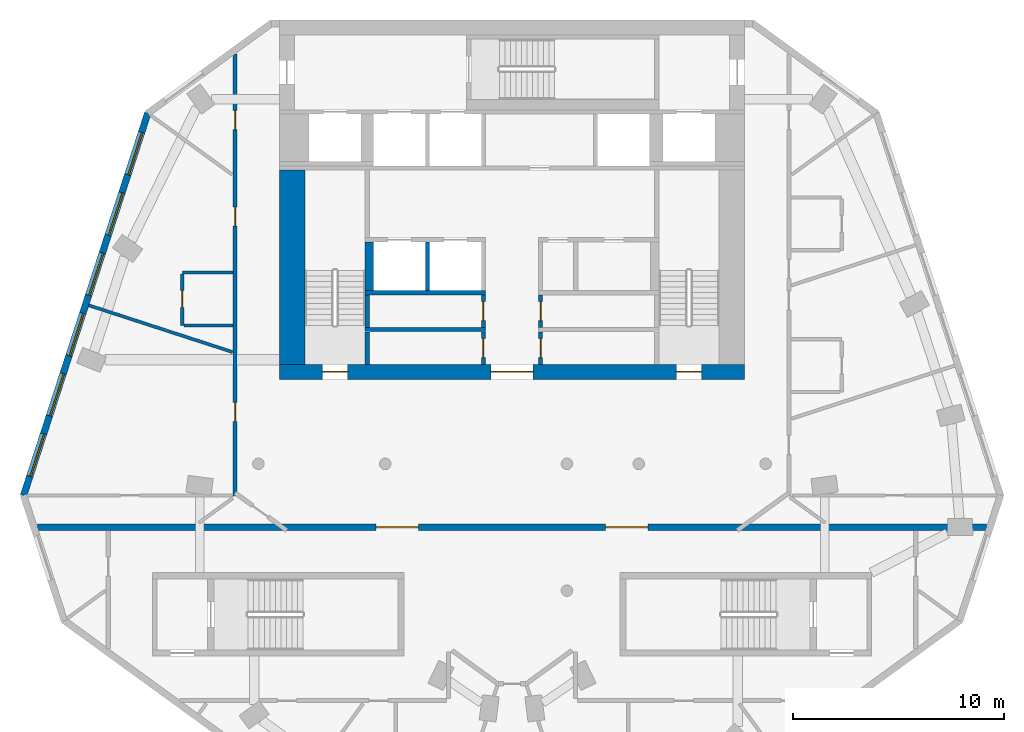
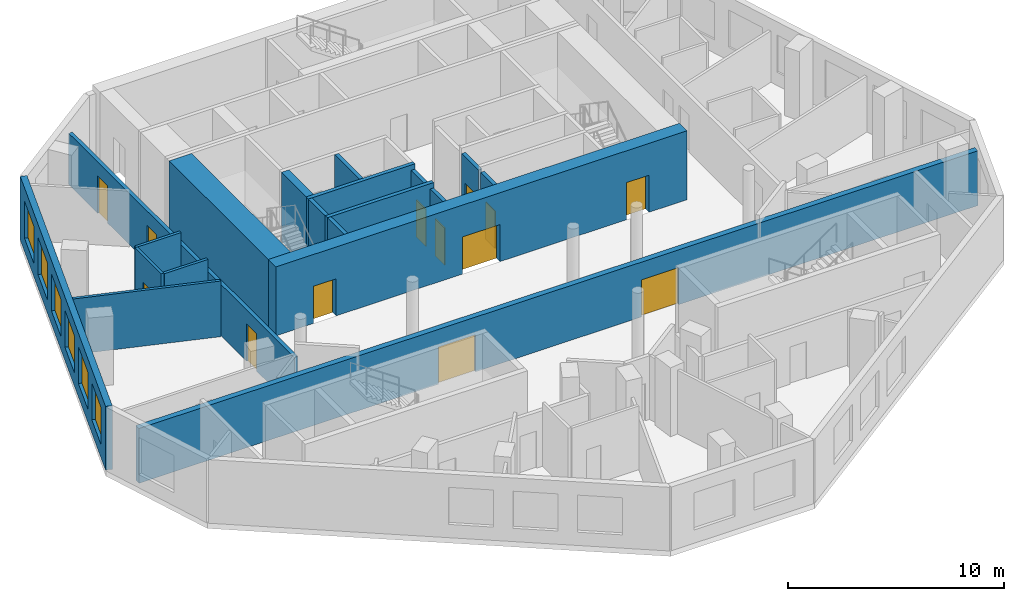
# One storey, part 3 of 8: 19 walls, 13 doors, 6 windows, 19 openings.
"""IFC4 building model written with IfcOpenShell, lengths in metres."""

import ifcopenshell
import ifcopenshell.guid

model = None  # the IFC model being written
_history = None  # IfcOwnerHistory: only IFC2X3 demands one
_inside = {}  # id of a spatial element -> (the spatial element, [elements in it])
_under = {}  # id of a project, library or spatial element -> (it, [spatial elements below it])
_declared = {}  # id of a project -> (the project, [libraries it declares])
_typed = {}  # id of a type object -> (the type object, [elements of that type])
_made_of = {}  # id of a material, layer set ... -> (it, [elements and type objects made of it])


def new_model(schema):
    """Start an empty IFC model of exactly this schema.

    Asked for "IFC4X3", IfcOpenShell would pick the latest addendum, in which some entities
    have other attributes; the version numbers below select the first issue.
    IFC2X3 requires an IfcOwnerHistory on every rooted entity: one is made here for all.
    """
    global model, _history
    if schema == "IFC4X3":
        model = ifcopenshell.file(schema_version=(4, 3, 0, 0))
    else:
        model = ifcopenshell.file(schema=schema)
    _inside.clear()
    _under.clear()
    _declared.clear()
    _typed.clear()
    _made_of.clear()
    _history = None
    if model.schema == "IFC2X3":
        org = make("IfcOrganization", Name="unknown")
        user = make(
            "IfcPersonAndOrganization",
            ThePerson=make("IfcPerson", FamilyName="unknown"),
            TheOrganization=org,
        )
        app = make(
            "IfcApplication",
            ApplicationDeveloper=org,
            Version="unknown",
            ApplicationFullName="unknown",
            ApplicationIdentifier="unknown",
        )
        _history = make(
            "IfcOwnerHistory",
            OwningUser=user,
            OwningApplication=app,
            ChangeAction="ADDED",
            CreationDate=0,
        )
    return model


def make(cls, **values):
    """One entity of the class cls with the attributes given. An attribute that is None is left unset."""
    return model.create_entity(
        cls, **{name: value for name, value in values.items() if value is not None}
    )


def rooted(cls, **values):
    """An entity with a GlobalId (a new one), such as an element, a storey or a relation."""
    return make(cls, GlobalId=ifcopenshell.guid.new(), OwnerHistory=_history, **values)


def si_unit(unit_type, name, prefix=None):
    """IfcSIUnit, for example si_unit("LENGTHUNIT", "METRE", prefix="MILLI")."""
    return make("IfcSIUnit", UnitType=unit_type, Prefix=prefix, Name=name)


def assignment(units):
    """IfcUnitAssignment: the units of a project."""
    return None if units is None else make("IfcUnitAssignment", Units=units)


def point(xyz):
    """IfcCartesianPoint."""
    return None if xyz is None else make("IfcCartesianPoint", Coordinates=xyz)


def direction(xyz):
    """IfcDirection."""
    return None if xyz is None else make("IfcDirection", DirectionRatios=xyz)


def frame(location, z_axis=None, x_axis=None):
    """IfcAxis2Placement3D, a coordinate frame: its origin and axes. An axis left out is left unset."""
    return make(
        "IfcAxis2Placement3D",
        Location=point(location),
        Axis=direction(z_axis),
        RefDirection=direction(x_axis),
    )


def frame_2d(location, x_axis=None):
    """IfcAxis2Placement2D, a coordinate frame in the plane: its origin and x axis."""
    return make(
        "IfcAxis2Placement2D", Location=point(location), RefDirection=direction(x_axis)
    )


def origin():
    """The frame at (0, 0, 0) with its axes left unset."""
    return frame((0.0, 0.0, 0.0))


def place(relative_to, where):
    """IfcLocalPlacement: puts the frame where relative to a parent placement (None: the world)."""
    return make(
        "IfcLocalPlacement", PlacementRelTo=relative_to, RelativePlacement=where
    )


def context(
    kind, dimensions, precision=None, world=None, true_north=None, identifier=None
):
    """IfcGeometricRepresentationContext, for example the 3D "Model" context."""
    return make(
        "IfcGeometricRepresentationContext",
        ContextIdentifier=identifier,
        ContextType=kind,
        CoordinateSpaceDimension=dimensions,
        Precision=precision,
        WorldCoordinateSystem=world,
        TrueNorth=true_north,
    )


def subcontext(parent, identifier, kind, view, scale=None):
    """IfcGeometricRepresentationSubContext, for example "Body" below "Model"."""
    return make(
        "IfcGeometricRepresentationSubContext",
        ContextIdentifier=identifier,
        ContextType=kind,
        ParentContext=parent,
        TargetScale=scale,
        TargetView=view,
    )


def project(units=None, contexts=None):
    """IfcProject with its units and contexts."""
    return rooted(
        "IfcProject",
        Name="project",
        RepresentationContexts=contexts,
        UnitsInContext=assignment(units),
    )


def spatial(cls, under=None, at=None, **own):
    """A site, building, storey or space (cls), placed at a placement, below another one or the project."""
    s = rooted(cls, ObjectPlacement=at, **own)
    if under is not None:
        _under.setdefault(under.id(), (under, []))[1].append(s)
    return s


def profile(cls, at=None, kind="AREA", **sizes):
    """A parametric profile (cls). Its sizes go by their IFC names, for example OverallWidth=200.0."""
    return make(cls, ProfileType=kind, Position=at, **sizes)


def rectangle(**sizes):
    """IfcRectangleProfileDef."""
    return profile("IfcRectangleProfileDef", **sizes)


def extrude(swept, where, along, depth):
    """IfcExtrudedAreaSolid: the profile swept, set in the frame where, extruded along a direction by depth."""
    return make(
        "IfcExtrudedAreaSolid",
        SweptArea=swept,
        Position=where,
        ExtrudedDirection=direction(along),
        Depth=depth,
    )


def shape(context_of_items, identifier, shape_type, items):
    """IfcShapeRepresentation: the items that make up one representation, for example the "Body"."""
    return make(
        "IfcShapeRepresentation",
        ContextOfItems=context_of_items,
        RepresentationIdentifier=identifier,
        RepresentationType=shape_type,
        Items=items,
    )


def material(Name=None, Category=None):
    """IfcMaterial."""
    return make("IfcMaterial", Name=Name, Category=Category)


def layer(
    of_material, thickness, ventilated=None, Name=None, Category=None, Priority=None
):
    """IfcMaterialLayer: one layer of a wall or slab, of a material (None: an air gap)."""
    return make(
        "IfcMaterialLayer",
        Material=of_material,
        LayerThickness=thickness,
        IsVentilated=ventilated,
        Name=Name,
        Category=Category,
        Priority=Priority,
    )


def layer_set(layers, Name=None):
    """IfcMaterialLayerSet."""
    return make("IfcMaterialLayerSet", MaterialLayers=layers, LayerSetName=Name)


def made_of(thing, what):
    """Note that an element or type object is made of a material, layer set ...; save() writes the relation."""
    if what is not None:
        _made_of.setdefault(what.id(), (what, []))[1].append(thing)
    return thing


def type_object(cls, material=None, **own):
    """A type object (cls), such as IfcWallType, which elements share."""
    return made_of(rooted(cls, **own), material)


def element(
    cls,
    number,
    at=None,
    inside=None,
    cuts=None,
    type_object=None,
    material=None,
    context=None,
    identifier="Body",
    shape_type=None,
    held_by="IfcProductDefinitionShape",
    body=None,
    shapes=None,
    **own,
):
    """One element of the class cls, such as IfcWall. Its Tag is "e" and its number.

    at: its placement. inside: the storey or other place that contains it. cuts: it is an
    opening in that element (IfcRelVoidsElement). A single representation is given by context,
    identifier, shape_type and body (its items); several are given by shapes. held_by: the class
    of the entity that holds the representations. save() writes the other relations.
    """
    e = rooted(cls, Tag="e%d" % number, ObjectPlacement=at, **own)
    if body is not None:
        shapes = [shape(context, identifier, shape_type, body)]
    if shapes is not None:
        e.Representation = make(held_by, Representations=shapes)
    if inside is not None:
        _inside.setdefault(inside.id(), (inside, []))[1].append(e)
    if cuts is not None:
        rooted(
            "IfcRelVoidsElement", RelatingBuildingElement=cuts, RelatedOpeningElement=e
        )
    if type_object is not None:
        _typed.setdefault(type_object.id(), (type_object, []))[1].append(e)
    return made_of(e, material)


def fill(opening, filler):
    """IfcRelFillsElement: the door or window that sits in an opening."""
    return rooted(
        "IfcRelFillsElement",
        RelatingOpeningElement=opening,
        RelatedBuildingElement=filler,
    )


def aggregate(whole, parts):
    """IfcRelAggregates: a whole, such as a stair, and the parts it consists of."""
    return rooted("IfcRelAggregates", RelatingObject=whole, RelatedObjects=parts)


def save(model, path):
    """Write the relations noted so far, then the file.

    IfcRelAggregates (storeys below a building ...), IfcRelContainedInSpatialStructure (elements
    in a storey), IfcRelDefinesByType, IfcRelAssociatesMaterial and IfcRelDeclares: one each for
    every whole, place, type object, material and project.
    """
    for whole, parts in _under.values():
        aggregate(whole, parts)
    for where, things in _inside.values():
        rooted(
            "IfcRelContainedInSpatialStructure",
            RelatedElements=things,
            RelatingStructure=where,
        )
    for kind, things in _typed.values():
        rooted("IfcRelDefinesByType", RelatedObjects=things, RelatingType=kind)
    for what, things in _made_of.values():
        rooted("IfcRelAssociatesMaterial", RelatedObjects=things, RelatingMaterial=what)
    for by, libraries in _declared.values():
        rooted("IfcRelDeclares", RelatingContext=by, RelatedDefinitions=libraries)
    model.write(path)


model = new_model("IFC4")

# Units and contexts
model_context = context("Model", 3, precision=1e-05, world=origin(), true_north=direction((0.0, 1.0)))
body_context = subcontext(model_context, "Body", "Model", "MODEL_VIEW")
ifc_project = project(units=[si_unit("LENGTHUNIT", "METRE"), si_unit("AREAUNIT", "SQUARE_METRE"), si_unit("VOLUMEUNIT", "CUBIC_METRE"), si_unit("PLANEANGLEUNIT", "RADIAN"), si_unit("MASSUNIT", "GRAM", prefix="KILO")], contexts=[model_context])

# Site, building, storey
site_placement = place(None, origin())
site = spatial("IfcSite", under=ifc_project, at=site_placement, CompositionType="ELEMENT")
building_placement = place(site_placement, origin())
building = spatial("IfcBuilding", under=site, at=building_placement, Name="White Candle Pilgrim Tower", CompositionType="ELEMENT")
storey_placement = place(building_placement, frame((0.0, 0.0, 275.60009765625)))
storey = spatial("IfcBuildingStorey", under=building, at=storey_placement, Name="L65", CompositionType="ELEMENT", Elevation=275.60009765625)

# Wall, openings, doors
ifc_material_1 = material(Name="Gypsum board on steel studs", Category="steel")
ifc_layer_1 = layer(ifc_material_1, 0.199951171875)
ifc_layer_set_1 = layer_set([ifc_layer_1], Name="Corridor wall 200 mm EI 45")
wall_type_1 = type_object("IfcWallType", Name="Corridor wall 200 mm EI 45", PredefinedType="PARTITIONING", material=ifc_layer_set_1)
wall_1_placement = place(storey_placement, frame((56.89990234375, 65.476806640625, 0.0), z_axis=(0.0, 0.0, 1.0), x_axis=(0.0, 1.0, 0.0)))
wall_1 = element("IfcWall", 1, at=wall_1_placement, inside=storey, type_object=wall_type_1, Name="WL-L65-P003", PredefinedType="PARTITIONING", context=body_context, shape_type="SweptSolid", body=[
    extrude(rectangle(XDim=20.91943359375, YDim=0.199951171875, at=frame_2d((10.459716796875, 0.0))), origin(), (0.0, 0.0, 1.0), 2.89990234375),
])
opening_1_placement = place(wall_1_placement, frame((3.533935546875, 0.0, 0.0)))
opening_1 = element("IfcOpeningElement", 2, at=opening_1_placement, cuts=wall_1, Name="Opening T20-114", PredefinedType="OPENING", context=body_context, shape_type="SweptSolid", body=[
    extrude(rectangle(XDim=0.89990234375, YDim=2.10009765625, at=frame_2d((0.449951171875, 1.050048828125))), frame((0.0, 0.10986328125, 0.0), z_axis=(0.0, -1.0, 0.0), x_axis=(1.0, 0.0, 0.0)), (0.0, 0.0, 1.0), 0.219970703125),
])
opening_2_placement = place(wall_1_placement, frame((12.76806640625, 0.0, 0.0)))
opening_2 = element("IfcOpeningElement", 3, at=opening_2_placement, cuts=wall_1, Name="Opening T20-115", PredefinedType="OPENING", context=body_context, shape_type="SweptSolid", body=[
    extrude(rectangle(XDim=0.89990234375, YDim=2.10009765625, at=frame_2d((0.449951171875, 1.050048828125))), frame((0.0, 0.10986328125, 0.0), z_axis=(0.0, -1.0, 0.0), x_axis=(1.0, 0.0, 0.0)), (0.0, 0.0, 1.0), 0.219970703125),
])
opening_3_placement = place(wall_1_placement, frame((17.331298828125, 0.0, 0.0)))
opening_3 = element("IfcOpeningElement", 4, at=opening_3_placement, cuts=wall_1, Name="Opening T20-116", PredefinedType="OPENING", context=body_context, shape_type="SweptSolid", body=[
    extrude(rectangle(XDim=0.89990234375, YDim=2.10009765625, at=frame_2d((0.449951171875, 1.050048828125))), frame((0.0, 0.10986328125, 0.0), z_axis=(0.0, -1.0, 0.0), x_axis=(1.0, 0.0, 0.0)), (0.0, 0.0, 1.0), 0.219970703125),
])
ifc_material_2 = material(Name="Steel door leaf", Category="steel")
door_type_1 = type_object("IfcDoorType", Name="Fire door 900 x 2100 EI 30", OperationType="NOTDEFINED", PredefinedType="DOOR", material=ifc_material_2)
door_1_placement = place(opening_1_placement, origin())
door_1 = element("IfcDoor", 5, at=door_1_placement, inside=storey, type_object=door_type_1, Name="Door T20-114", OperationType="SINGLE_SWING_RIGHT", OverallHeight=2.10009765625, OverallWidth=0.89990234375, PredefinedType="DOOR", context=body_context, shape_type="SweptSolid", body=[
    extrude(rectangle(XDim=0.89990234375, YDim=2.10009765625, at=frame_2d((0.449951171875, 1.050048828125))), frame((0.0, 0.02490234375, 0.0), z_axis=(0.0, -1.0, 0.0), x_axis=(1.0, 0.0, 0.0)), (0.0, 0.0, 1.0), 0.050048828125),
])
fill(opening_1, door_1)
door_2_placement = place(opening_2_placement, origin())
door_2 = element("IfcDoor", 6, at=door_2_placement, inside=storey, type_object=door_type_1, Name="Door T20-115", OperationType="SINGLE_SWING_LEFT", OverallHeight=2.10009765625, OverallWidth=0.89990234375, PredefinedType="DOOR", context=body_context, shape_type="SweptSolid", body=[
    extrude(rectangle(XDim=0.89990234375, YDim=2.10009765625, at=frame_2d((0.449951171875, 1.050048828125))), frame((0.0, 0.02490234375, 0.0), z_axis=(0.0, -1.0, 0.0), x_axis=(1.0, 0.0, 0.0)), (0.0, 0.0, 1.0), 0.050048828125),
])
fill(opening_2, door_2)
door_3_placement = place(opening_3_placement, origin())
door_3 = element("IfcDoor", 7, at=door_3_placement, inside=storey, type_object=door_type_1, Name="Door T20-116", OperationType="SINGLE_SWING_RIGHT", OverallHeight=2.10009765625, OverallWidth=0.89990234375, PredefinedType="DOOR", context=body_context, shape_type="SweptSolid", body=[
    extrude(rectangle(XDim=0.89990234375, YDim=2.10009765625, at=frame_2d((0.449951171875, 1.050048828125))), frame((0.0, 0.02490234375, 0.0), z_axis=(0.0, -1.0, 0.0), x_axis=(1.0, 0.0, 0.0)), (0.0, 0.0, 1.0), 0.050048828125),
])
fill(opening_3, door_3)

# Wall, openings, windows
ifc_material_3 = material(Name="Precast concrete C40/50", Category="concrete")
ifc_layer_2 = layer(ifc_material_3, 0.320068359375)
ifc_layer_set_2 = layer_set([ifc_layer_2], Name="Facade wall EW1 precast concrete C40/50 pier wall with timber-lined reveals")
wall_type_2 = type_object("IfcWallType", Name="Facade wall EW1 precast concrete C40/50 pier wall with timber-lined reveals", PredefinedType="SOLIDWALL", material=ifc_layer_set_2)
wall_2_placement = place(storey_placement, frame((52.765625, 83.590087890625, 0.0), z_axis=(0.0, 0.0, 1.0), x_axis=(-0.309027135181, -0.951053221288, 0.0)))
wall_2 = element("IfcWall", 8, at=wall_2_placement, inside=storey, type_object=wall_type_2, Name="Facade wall L65 WNW", PredefinedType="SOLIDWALL", context=body_context, shape_type="SweptSolid", body=[
    extrude(rectangle(XDim=19.014404296875, YDim=0.320068359375, at=frame_2d((9.50732421875, 0.0))), origin(), (0.0, 0.0, 1.0), 3.599853515625),
])
opening_4_placement = place(wall_2_placement, frame((0.957275390625, 0.0, 0.75)))
opening_4 = element("IfcOpeningElement", 9, at=opening_4_placement, cuts=wall_2, Name="Opening W3", PredefinedType="OPENING", context=body_context, shape_type="SweptSolid", body=[
    extrude(rectangle(XDim=2.10009765625, YDim=2.10009765625, at=frame_2d((1.050048828125, 1.050048828125))), frame((0.0, 0.169921875, 0.0), z_axis=(0.0, -1.0, 0.0), x_axis=(1.0, 0.0, 0.0)), (0.0, 0.0, 1.0), 0.340087890625),
])
opening_5_placement = place(wall_2_placement, frame((3.957275390625, 0.0, 0.75)))
opening_5 = element("IfcOpeningElement", 10, at=opening_5_placement, cuts=wall_2, Name="Opening W3", PredefinedType="OPENING", context=body_context, shape_type="SweptSolid", body=[
    extrude(rectangle(XDim=2.10009765625, YDim=2.10009765625, at=frame_2d((1.050048828125, 1.050048828125))), frame((0.0, 0.169921875, 0.0), z_axis=(0.0, -1.0, 0.0), x_axis=(1.0, 0.0, 0.0)), (0.0, 0.0, 1.0), 0.340087890625),
])
opening_6_placement = place(wall_2_placement, frame((6.957275390625, 0.0, 0.75)))
opening_6 = element("IfcOpeningElement", 11, at=opening_6_placement, cuts=wall_2, Name="Opening W3", PredefinedType="OPENING", context=body_context, shape_type="SweptSolid", body=[
    extrude(rectangle(XDim=2.10009765625, YDim=2.10009765625, at=frame_2d((1.050048828125, 1.050048828125))), frame((0.0, 0.169921875, 0.0), z_axis=(0.0, -1.0, 0.0), x_axis=(1.0, 0.0, 0.0)), (0.0, 0.0, 1.0), 0.340087890625),
])
opening_7_placement = place(wall_2_placement, frame((9.957275390625, 0.0, 0.75)))
opening_7 = element("IfcOpeningElement", 12, at=opening_7_placement, cuts=wall_2, Name="Opening W3", PredefinedType="OPENING", context=body_context, shape_type="SweptSolid", body=[
    extrude(rectangle(XDim=2.10009765625, YDim=2.10009765625, at=frame_2d((1.050048828125, 1.050048828125))), frame((0.0, 0.169921875, 0.0), z_axis=(0.0, -1.0, 0.0), x_axis=(1.0, 0.0, 0.0)), (0.0, 0.0, 1.0), 0.340087890625),
])
opening_8_placement = place(wall_2_placement, frame((12.957275390625, 0.0, 0.75)))
opening_8 = element("IfcOpeningElement", 13, at=opening_8_placement, cuts=wall_2, Name="Opening W3", PredefinedType="OPENING", context=body_context, shape_type="SweptSolid", body=[
    extrude(rectangle(XDim=2.10009765625, YDim=2.10009765625, at=frame_2d((1.050048828125, 1.050048828125))), frame((0.0, 0.169921875, 0.0), z_axis=(0.0, -1.0, 0.0), x_axis=(1.0, 0.0, 0.0)), (0.0, 0.0, 1.0), 0.340087890625),
])
opening_9_placement = place(wall_2_placement, frame((15.957275390625, 0.0, 0.75)))
opening_9 = element("IfcOpeningElement", 14, at=opening_9_placement, cuts=wall_2, Name="Opening W3", PredefinedType="OPENING", context=body_context, shape_type="SweptSolid", body=[
    extrude(rectangle(XDim=2.10009765625, YDim=2.10009765625, at=frame_2d((1.050048828125, 1.050048828125))), frame((0.0, 0.169921875, 0.0), z_axis=(0.0, -1.0, 0.0), x_axis=(1.0, 0.0, 0.0)), (0.0, 0.0, 1.0), 0.340087890625),
])
ifc_material_4 = material(Name="Timber frame with triple glazing", Category="wood")
window_type = type_object("IfcWindowType", Name="Window W3 2100x2100 timber frame triple glazing", PartitioningType="SINGLE_PANEL", PredefinedType="WINDOW", material=ifc_material_4)
window_1_placement = place(opening_4_placement, origin())
window_1 = element("IfcWindow", 15, at=window_1_placement, inside=storey, type_object=window_type, Name="Window W3 L65 WNW 1", OverallHeight=2.10009765625, OverallWidth=2.10009765625, PartitioningType="SINGLE_PANEL", PredefinedType="WINDOW", context=body_context, shape_type="SweptSolid", body=[
    extrude(rectangle(XDim=2.10009765625, YDim=2.10009765625, at=frame_2d((1.050048828125, 1.050048828125))), frame((0.0, 0.070068359375, 0.0), z_axis=(0.0, -1.0, 0.0), x_axis=(1.0, 0.0, 0.0)), (0.0, 0.0, 1.0), 0.06005859375),
])
fill(opening_4, window_1)
window_2_placement = place(opening_5_placement, origin())
window_2 = element("IfcWindow", 16, at=window_2_placement, inside=storey, type_object=window_type, Name="Window W3 L65 WNW 2", OverallHeight=2.10009765625, OverallWidth=2.10009765625, PartitioningType="SINGLE_PANEL", PredefinedType="WINDOW", context=body_context, shape_type="SweptSolid", body=[
    extrude(rectangle(XDim=2.10009765625, YDim=2.10009765625, at=frame_2d((1.050048828125, 1.050048828125))), frame((0.0, 0.070068359375, 0.0), z_axis=(0.0, -1.0, 0.0), x_axis=(1.0, 0.0, 0.0)), (0.0, 0.0, 1.0), 0.06005859375),
])
fill(opening_5, window_2)
window_3_placement = place(opening_6_placement, origin())
window_3 = element("IfcWindow", 17, at=window_3_placement, inside=storey, type_object=window_type, Name="Window W3 L65 WNW 3", OverallHeight=2.10009765625, OverallWidth=2.10009765625, PartitioningType="SINGLE_PANEL", PredefinedType="WINDOW", context=body_context, shape_type="SweptSolid", body=[
    extrude(rectangle(XDim=2.10009765625, YDim=2.10009765625, at=frame_2d((1.050048828125, 1.050048828125))), frame((0.0, 0.070068359375, 0.0), z_axis=(0.0, -1.0, 0.0), x_axis=(1.0, 0.0, 0.0)), (0.0, 0.0, 1.0), 0.06005859375),
])
fill(opening_6, window_3)
window_4_placement = place(opening_7_placement, origin())
window_4 = element("IfcWindow", 18, at=window_4_placement, inside=storey, type_object=window_type, Name="Window W3 L65 WNW 4", OverallHeight=2.10009765625, OverallWidth=2.10009765625, PartitioningType="SINGLE_PANEL", PredefinedType="WINDOW", context=body_context, shape_type="SweptSolid", body=[
    extrude(rectangle(XDim=2.10009765625, YDim=2.10009765625, at=frame_2d((1.050048828125, 1.050048828125))), frame((0.0, 0.070068359375, 0.0), z_axis=(0.0, -1.0, 0.0), x_axis=(1.0, 0.0, 0.0)), (0.0, 0.0, 1.0), 0.06005859375),
])
fill(opening_7, window_4)
window_5_placement = place(opening_8_placement, origin())
window_5 = element("IfcWindow", 19, at=window_5_placement, inside=storey, type_object=window_type, Name="Window W3 L65 WNW 5", OverallHeight=2.10009765625, OverallWidth=2.10009765625, PartitioningType="SINGLE_PANEL", PredefinedType="WINDOW", context=body_context, shape_type="SweptSolid", body=[
    extrude(rectangle(XDim=2.10009765625, YDim=2.10009765625, at=frame_2d((1.050048828125, 1.050048828125))), frame((0.0, 0.070068359375, 0.0), z_axis=(0.0, -1.0, 0.0), x_axis=(1.0, 0.0, 0.0)), (0.0, 0.0, 1.0), 0.06005859375),
])
fill(opening_8, window_5)
window_6_placement = place(opening_9_placement, origin())
window_6 = element("IfcWindow", 20, at=window_6_placement, inside=storey, type_object=window_type, Name="Window W3 L65 WNW 6", OverallHeight=2.10009765625, OverallWidth=2.10009765625, PartitioningType="SINGLE_PANEL", PredefinedType="WINDOW", context=body_context, shape_type="SweptSolid", body=[
    extrude(rectangle(XDim=2.10009765625, YDim=2.10009765625, at=frame_2d((1.050048828125, 1.050048828125))), frame((0.0, 0.070068359375, 0.0), z_axis=(0.0, -1.0, 0.0), x_axis=(1.0, 0.0, 0.0)), (0.0, 0.0, 1.0), 0.06005859375),
])
fill(opening_9, window_6)

# Wall, openings, doors
ifc_material_5 = material(Name="Aerated concrete block", Category="concrete")
ifc_layer_3 = layer(ifc_material_5, 0.300048828125)
ifc_layer_set_3 = layer_set([ifc_layer_3], Name="Fire wall 300 mm REI 240")
wall_type_3 = type_object("IfcWallType", Name="Fire wall 300 mm REI 240", PredefinedType="PARTITIONING", material=ifc_layer_set_3)
wall_3_placement = place(storey_placement, frame((47.54736328125, 64.0, 0.0), z_axis=(0.0, 0.0, 1.0), x_axis=(1.0, 0.0, 0.0)))
wall_3 = element("IfcWall", 21, at=wall_3_placement, inside=storey, type_object=wall_type_3, Name="WL-L65-P001", PredefinedType="PARTITIONING", context=body_context, shape_type="SweptSolid", body=[
    extrude(rectangle(XDim=44.9052734375, YDim=0.300048828125, at=frame_2d((22.45263671875, 0.0))), origin(), (0.0, 0.0, 1.0), 3.099853515625),
])
opening_10_placement = place(wall_3_placement, frame((16.0205078125, 0.0, 0.0)))
opening_10 = element("IfcOpeningElement", 22, at=opening_10_placement, cuts=wall_3, Name="Opening T20-111", PredefinedType="OPENING", context=body_context, shape_type="SweptSolid", body=[
    extrude(rectangle(XDim=2.0, YDim=2.10009765625, at=frame_2d((1.0, 1.050048828125))), frame((0.0, 0.159912109375, 0.0), z_axis=(0.0, -1.0, 0.0), x_axis=(1.0, 0.0, 0.0)), (0.0, 0.0, 1.0), 0.320068359375),
])
opening_11_placement = place(wall_3_placement, frame((26.884765625, 0.0, 0.0)))
opening_11 = element("IfcOpeningElement", 23, at=opening_11_placement, cuts=wall_3, Name="Opening T20-112", PredefinedType="OPENING", context=body_context, shape_type="SweptSolid", body=[
    extrude(rectangle(XDim=2.0, YDim=2.10009765625, at=frame_2d((1.0, 1.050048828125))), frame((0.0, 0.159912109375, 0.0), z_axis=(0.0, -1.0, 0.0), x_axis=(1.0, 0.0, 0.0)), (0.0, 0.0, 1.0), 0.320068359375),
])
door_type_2 = type_object("IfcDoorType", Name="Fire door 2000 x 2100 EI 60", OperationType="NOTDEFINED", PredefinedType="DOOR", material=ifc_material_2)
door_4_placement = place(opening_10_placement, origin())
door_4 = element("IfcDoor", 24, at=door_4_placement, inside=storey, type_object=door_type_2, Name="Door T20-111", OperationType="DOUBLE_DOOR_SINGLE_SWING", OverallHeight=2.10009765625, OverallWidth=2.0, PredefinedType="DOOR", context=body_context, shape_type="SweptSolid", body=[
    extrude(rectangle(XDim=2.0, YDim=2.10009765625, at=frame_2d((1.0, 1.050048828125))), frame((0.0, 0.02490234375, 0.0), z_axis=(0.0, -1.0, 0.0), x_axis=(1.0, 0.0, 0.0)), (0.0, 0.0, 1.0), 0.050048828125),
])
fill(opening_10, door_4)
door_5_placement = place(opening_11_placement, origin())
door_5 = element("IfcDoor", 25, at=door_5_placement, inside=storey, type_object=door_type_2, Name="Door T20-112", OperationType="DOUBLE_DOOR_SINGLE_SWING", OverallHeight=2.10009765625, OverallWidth=2.0, PredefinedType="DOOR", context=body_context, shape_type="SweptSolid", body=[
    extrude(rectangle(XDim=2.0, YDim=2.10009765625, at=frame_2d((1.0, 1.050048828125))), frame((0.0, 0.02490234375, 0.0), z_axis=(0.0, -1.0, 0.0), x_axis=(1.0, 0.0, 0.0)), (0.0, 0.0, 1.0), 0.050048828125),
])
fill(opening_11, door_5)

# Wall, opening, door
ifc_layer_4 = layer(ifc_material_1, 0.199951171875)
ifc_layer_set_4 = layer_set([ifc_layer_4], Name="Lobby wall 200 mm EI 60")
wall_type_4 = type_object("IfcWallType", Name="Lobby wall 200 mm EI 60", PredefinedType="PARTITIONING", material=ifc_layer_set_4)
wall_4_placement = place(storey_placement, frame((68.64990234375, 71.699951171875, 0.0), z_axis=(0.0, 0.0, 1.0), x_axis=(0.0, 1.0, 0.0)))
wall_4 = element("IfcWall", 26, at=wall_4_placement, inside=storey, type_object=wall_type_4, Name="WL-L65-C14", PredefinedType="PARTITIONING", context=body_context, shape_type="SweptSolid", body=[
    extrude(rectangle(XDim=1.550048828125, YDim=0.199951171875, at=frame_2d((0.77490234375, 0.0))), origin(), (0.0, 0.0, 1.0), 3.599853515625),
])
opening_12_placement = place(wall_4_placement, frame((0.324951171875, 0.0, 0.0)))
opening_12 = element("IfcOpeningElement", 27, at=opening_12_placement, cuts=wall_4, Name="Opening T20-005", PredefinedType="OPENING", context=body_context, shape_type="SweptSolid", body=[
    extrude(rectangle(XDim=0.89990234375, YDim=2.10009765625, at=frame_2d((0.449951171875, 1.050048828125))), frame((0.0, 0.10986328125, 0.0), z_axis=(0.0, -1.0, 0.0), x_axis=(1.0, 0.0, 0.0)), (0.0, 0.0, 1.0), 0.219970703125),
])
door_6_placement = place(opening_12_placement, origin())
door_6 = element("IfcDoor", 28, at=door_6_placement, inside=storey, type_object=door_type_1, Name="Door T20-005", OperationType="SINGLE_SWING_LEFT", OverallHeight=2.10009765625, OverallWidth=0.89990234375, PredefinedType="DOOR", context=body_context, shape_type="SweptSolid", body=[
    extrude(rectangle(XDim=0.89990234375, YDim=2.10009765625, at=frame_2d((0.449951171875, 1.050048828125))), frame((0.0, 0.02490234375, 0.0), z_axis=(0.0, -1.0, 0.0), x_axis=(1.0, 0.0, 0.0)), (0.0, 0.0, 1.0), 0.050048828125),
])
fill(opening_12, door_6)

wall_5_placement = place(storey_placement, frame((71.35009765625, 71.699951171875, 0.0), z_axis=(0.0, 0.0, 1.0), x_axis=(0.0, 1.0, 0.0)))
wall_5 = element("IfcWall", 29, at=wall_5_placement, inside=storey, type_object=wall_type_4, Name="WL-L65-C15", PredefinedType="PARTITIONING", context=body_context, shape_type="SweptSolid", body=[
    extrude(rectangle(XDim=1.550048828125, YDim=0.199951171875, at=frame_2d((0.77490234375, 0.0))), origin(), (0.0, 0.0, 1.0), 3.599853515625),
])
opening_13_placement = place(wall_5_placement, frame((0.324951171875, 0.0, 0.0)))
opening_13 = element("IfcOpeningElement", 30, at=opening_13_placement, cuts=wall_5, Name="Opening T20-007", PredefinedType="OPENING", context=body_context, shape_type="SweptSolid", body=[
    extrude(rectangle(XDim=0.89990234375, YDim=2.10009765625, at=frame_2d((0.449951171875, 1.050048828125))), frame((0.0, 0.10986328125, 0.0), z_axis=(0.0, -1.0, 0.0), x_axis=(1.0, 0.0, 0.0)), (0.0, 0.0, 1.0), 0.219970703125),
])
door_7_placement = place(opening_13_placement, origin())
door_7 = element("IfcDoor", 31, at=door_7_placement, inside=storey, type_object=door_type_1, Name="Door T20-007", OperationType="SINGLE_SWING_LEFT", OverallHeight=2.10009765625, OverallWidth=0.89990234375, PredefinedType="DOOR", context=body_context, shape_type="SweptSolid", body=[
    extrude(rectangle(XDim=0.89990234375, YDim=2.10009765625, at=frame_2d((0.449951171875, 1.050048828125))), frame((0.0, 0.02490234375, 0.0), z_axis=(0.0, -1.0, 0.0), x_axis=(1.0, 0.0, 0.0)), (0.0, 0.0, 1.0), 0.050048828125),
])
fill(opening_13, door_7)

wall_6_placement = place(storey_placement, frame((68.64990234375, 73.449951171875, 0.0), z_axis=(0.0, 0.0, 1.0), x_axis=(0.0, 1.0, 0.0)))
wall_6 = element("IfcWall", 32, at=wall_6_placement, inside=storey, type_object=wall_type_4, Name="WL-L65-C21", PredefinedType="PARTITIONING", context=body_context, shape_type="SweptSolid", body=[
    extrude(rectangle(XDim=1.550048828125, YDim=0.199951171875, at=frame_2d((0.77490234375, 0.0))), origin(), (0.0, 0.0, 1.0), 3.599853515625),
])
opening_14_placement = place(wall_6_placement, frame((0.324951171875, 0.0, 0.0)))
opening_14 = element("IfcOpeningElement", 33, at=opening_14_placement, cuts=wall_6, Name="Opening T20-006", PredefinedType="OPENING", context=body_context, shape_type="SweptSolid", body=[
    extrude(rectangle(XDim=0.89990234375, YDim=2.10009765625, at=frame_2d((0.449951171875, 1.050048828125))), frame((0.0, 0.10986328125, 0.0), z_axis=(0.0, -1.0, 0.0), x_axis=(1.0, 0.0, 0.0)), (0.0, 0.0, 1.0), 0.219970703125),
])
door_8_placement = place(opening_14_placement, origin())
door_8 = element("IfcDoor", 34, at=door_8_placement, inside=storey, type_object=door_type_1, Name="Door T20-006", OperationType="SINGLE_SWING_RIGHT", OverallHeight=2.10009765625, OverallWidth=0.89990234375, PredefinedType="DOOR", context=body_context, shape_type="SweptSolid", body=[
    extrude(rectangle(XDim=0.89990234375, YDim=2.10009765625, at=frame_2d((0.449951171875, 1.050048828125))), frame((0.0, 0.02490234375, 0.0), z_axis=(0.0, -1.0, 0.0), x_axis=(1.0, 0.0, 0.0)), (0.0, 0.0, 1.0), 0.050048828125),
])
fill(opening_14, door_8)

wall_7_placement = place(storey_placement, frame((71.35009765625, 73.449951171875, 0.0), z_axis=(0.0, 0.0, 1.0), x_axis=(0.0, 1.0, 0.0)))
wall_7 = element("IfcWall", 35, at=wall_7_placement, inside=storey, type_object=wall_type_4, Name="WL-L65-C22", PredefinedType="PARTITIONING", context=body_context, shape_type="SweptSolid", body=[
    extrude(rectangle(XDim=1.550048828125, YDim=0.199951171875, at=frame_2d((0.77490234375, 0.0))), origin(), (0.0, 0.0, 1.0), 3.599853515625),
])
opening_15_placement = place(wall_7_placement, frame((0.324951171875, 0.0, 0.0)))
opening_15 = element("IfcOpeningElement", 36, at=opening_15_placement, cuts=wall_7, Name="Opening T20-008", PredefinedType="OPENING", context=body_context, shape_type="SweptSolid", body=[
    extrude(rectangle(XDim=0.89990234375, YDim=2.10009765625, at=frame_2d((0.449951171875, 1.050048828125))), frame((0.0, 0.10986328125, 0.0), z_axis=(0.0, -1.0, 0.0), x_axis=(1.0, 0.0, 0.0)), (0.0, 0.0, 1.0), 0.219970703125),
])
door_9_placement = place(opening_15_placement, origin())
door_9 = element("IfcDoor", 37, at=door_9_placement, inside=storey, type_object=door_type_1, Name="Door T20-008", OperationType="SINGLE_SWING_RIGHT", OverallHeight=2.10009765625, OverallWidth=0.89990234375, PredefinedType="DOOR", context=body_context, shape_type="SweptSolid", body=[
    extrude(rectangle(XDim=0.89990234375, YDim=2.10009765625, at=frame_2d((0.449951171875, 1.050048828125))), frame((0.0, 0.02490234375, 0.0), z_axis=(0.0, -1.0, 0.0), x_axis=(1.0, 0.0, 0.0)), (0.0, 0.0, 1.0), 0.050048828125),
])
fill(opening_15, door_9)

# Walls
ifc_layer_5 = layer(ifc_material_1, 0.14990234375)
ifc_layer_set_5 = layer_set([ifc_layer_5], Name="Partition 150 mm EI 60")
wall_type_5 = type_object("IfcWallType", Name="Partition 150 mm EI 60", PredefinedType="PARTITIONING", material=ifc_layer_set_5)
wall_8_placement = place(storey_placement, frame((49.979736328125, 74.498779296875, 0.0), z_axis=(0.0, 0.0, 1.0), x_axis=(0.951057412442, -0.309014236304, 0.0)))
element("IfcWall", 38, at=wall_8_placement, inside=storey, type_object=wall_type_5, Name="WL-L65-P025", PredefinedType="PARTITIONING", context=body_context, shape_type="SweptSolid", body=[
    extrude(rectangle(XDim=7.14697265625, YDim=0.14990234375, at=frame_2d((3.573486328125, 0.0))), origin(), (0.0, 0.0, 1.0), 3.14990234375),
])
wall_9_placement = place(storey_placement, frame((56.800048828125, 76.05029296875, 0.0), z_axis=(0.0, 0.0, 1.0), x_axis=(-1.0, 0.0, 0.0)))
element("IfcWall", 39, at=wall_9_placement, inside=storey, type_object=wall_type_5, Name="WL-L65-P026", PredefinedType="PARTITIONING", context=body_context, shape_type="SweptSolid", body=[
    extrude(rectangle(XDim=2.400146484375, YDim=0.14990234375, at=frame_2d((1.2001953125, 0.0))), origin(), (0.0, 0.0, 1.0), 3.599853515625),
])

# Wall, opening, door
wall_10_placement = place(storey_placement, frame((54.39990234375, 73.55029296875, 0.0), z_axis=(0.0, 0.0, 1.0), x_axis=(0.0, 1.0, 0.0)))
wall_10 = element("IfcWall", 40, at=wall_10_placement, inside=storey, type_object=wall_type_5, Name="WL-L65-P027", PredefinedType="PARTITIONING", context=body_context, shape_type="SweptSolid", body=[
    extrude(rectangle(XDim=2.4248046875, YDim=0.14990234375, at=frame_2d((1.21240234375, 0.0))), origin(), (0.0, 0.0, 1.0), 3.599853515625),
])
opening_16_placement = place(wall_10_placement, frame((0.85009765625, 0.0, 0.0)))
opening_16 = element("IfcOpeningElement", 41, at=opening_16_placement, cuts=wall_10, Name="Opening T20-101", PredefinedType="OPENING", context=body_context, shape_type="SweptSolid", body=[
    extrude(rectangle(XDim=0.800048828125, YDim=2.10009765625, at=frame_2d((0.39990234375, 1.050048828125))), frame((0.0, 0.0849609375, 0.0), z_axis=(0.0, -1.0, 0.0), x_axis=(1.0, 0.0, 0.0)), (0.0, 0.0, 1.0), 0.169921875),
])
door_type_3 = type_object("IfcDoorType", Name="Fire door 800 x 2100 EI 30", OperationType="NOTDEFINED", PredefinedType="DOOR", material=ifc_material_2)
door_10_placement = place(opening_16_placement, origin())
door_10 = element("IfcDoor", 42, at=door_10_placement, inside=storey, type_object=door_type_3, Name="Door T20-101", OperationType="SINGLE_SWING_LEFT", OverallHeight=2.10009765625, OverallWidth=0.800048828125, PredefinedType="DOOR", context=body_context, shape_type="SweptSolid", body=[
    extrude(rectangle(XDim=0.800048828125, YDim=2.10009765625, at=frame_2d((0.39990234375, 1.050048828125))), frame((0.0, 0.02490234375, 0.0), z_axis=(0.0, -1.0, 0.0), x_axis=(1.0, 0.0, 0.0)), (0.0, 0.0, 1.0), 0.050048828125),
])
fill(opening_16, door_10)

# Walls
wall_11_placement = place(storey_placement, frame((56.800048828125, 73.55029296875, 0.0), z_axis=(0.0, 0.0, 1.0), x_axis=(-1.0, 0.0, 0.0)))
element("IfcWall", 43, at=wall_11_placement, inside=storey, type_object=wall_type_5, Name="WL-L65-P028", PredefinedType="PARTITIONING", context=body_context, shape_type="SweptSolid", body=[
    extrude(rectangle(XDim=2.324951171875, YDim=0.14990234375, at=frame_2d((1.16259765625, 0.0))), origin(), (0.0, 0.0, 1.0), 3.599853515625),
])
ifc_material_6 = material(Name="Concrete C50/60", Category="concrete")
ifc_layer_6 = layer(ifc_material_6, 0.199951171875)
ifc_layer_set_6 = layer_set([ifc_layer_6], Name="Shaft wall 200 mm Concrete C50/60")
wall_type_6 = type_object("IfcWallType", Name="Shaft wall 200 mm Concrete C50/60", PredefinedType="SHEAR", material=ifc_layer_set_6)
wall_12_placement = place(storey_placement, frame((66.0, 75.199951171875, 0.0), z_axis=(0.0, 0.0, 1.0), x_axis=(0.0, 1.0, 0.0)))
element("IfcWall", 44, at=wall_12_placement, inside=storey, type_object=wall_type_6, Name="WL-L65-C27", PredefinedType="SHEAR", context=body_context, shape_type="SweptSolid", body=[
    extrude(rectangle(XDim=2.300048828125, YDim=0.199951171875, at=frame_2d((1.14990234375, 0.0))), origin(), (0.0, 0.0, 1.0), 3.89990234375),
])
ifc_layer_7 = layer(ifc_material_6, 1.199951171875)
ifc_layer_set_7 = layer_set([ifc_layer_7], Name="Stair shaft wall 1200 mm Concrete C50/60")
wall_type_7 = type_object("IfcWallType", Name="Stair shaft wall 1200 mm Concrete C50/60", PredefinedType="SHEAR", material=ifc_layer_set_7)
wall_13_placement = place(storey_placement, frame((59.60009765625, 71.699951171875, 0.0), z_axis=(0.0, 0.0, 1.0), x_axis=(0.0, 1.0, 0.0)))
element("IfcWall", 45, at=wall_13_placement, inside=storey, type_object=wall_type_7, Name="WL-L65-C12", PredefinedType="SHEAR", context=body_context, shape_type="SweptSolid", body=[
    extrude(rectangle(XDim=9.199951171875, YDim=1.199951171875, at=frame_2d((4.60009765625, 0.0))), origin(), (0.0, 0.0, 1.0), 3.89990234375),
])
ifc_layer_8 = layer(ifc_material_6, 0.199951171875)
ifc_layer_set_8 = layer_set([ifc_layer_8], Name="Stair shaft wall 200 mm Concrete C50/60")
wall_type_8 = type_object("IfcWallType", Name="Stair shaft wall 200 mm Concrete C50/60", PredefinedType="SHEAR", material=ifc_layer_set_8)
wall_14_placement = place(storey_placement, frame((63.14990234375, 71.699951171875, 0.0), z_axis=(0.0, 0.0, 1.0), x_axis=(0.0, 1.0, 0.0)))
element("IfcWall", 46, at=wall_14_placement, inside=storey, type_object=wall_type_8, Name="WL-L65-C13", PredefinedType="SHEAR", context=body_context, shape_type="SweptSolid", body=[
    extrude(rectangle(XDim=1.550048828125, YDim=0.199951171875, at=frame_2d((0.77490234375, 0.0))), origin(), (0.0, 0.0, 1.0), 3.89990234375),
])
wall_15_placement = place(storey_placement, frame((63.050048828125, 73.35009765625, 0.0), z_axis=(0.0, 0.0, 1.0), x_axis=(1.0, 0.0, 0.0)))
element("IfcWall", 47, at=wall_15_placement, inside=storey, type_object=wall_type_8, Name="WL-L65-C18", PredefinedType="SHEAR", context=body_context, shape_type="SweptSolid", body=[
    extrude(rectangle(XDim=5.699951171875, YDim=0.199951171875, at=frame_2d((2.85009765625, 0.0))), origin(), (0.0, 0.0, 1.0), 3.89990234375),
])
wall_16_placement = place(storey_placement, frame((63.14990234375, 73.449951171875, 0.0), z_axis=(0.0, 0.0, 1.0), x_axis=(0.0, 1.0, 0.0)))
element("IfcWall", 48, at=wall_16_placement, inside=storey, type_object=wall_type_8, Name="WL-L65-C20", PredefinedType="SHEAR", context=body_context, shape_type="SweptSolid", body=[
    extrude(rectangle(XDim=1.550048828125, YDim=0.199951171875, at=frame_2d((0.77490234375, 0.0))), origin(), (0.0, 0.0, 1.0), 3.89990234375),
])
wall_17_placement = place(storey_placement, frame((63.050048828125, 75.10009765625, 0.0), z_axis=(0.0, 0.0, 1.0), x_axis=(1.0, 0.0, 0.0)))
element("IfcWall", 49, at=wall_17_placement, inside=storey, type_object=wall_type_8, Name="WL-L65-C24", PredefinedType="SHEAR", context=body_context, shape_type="SweptSolid", body=[
    extrude(rectangle(XDim=5.699951171875, YDim=0.199951171875, at=frame_2d((2.85009765625, 0.0))), origin(), (0.0, 0.0, 1.0), 3.89990234375),
])
ifc_layer_9 = layer(ifc_material_6, 0.39990234375)
ifc_layer_set_9 = layer_set([ifc_layer_9], Name="Stair shaft wall 400 mm Concrete C50/60")
wall_type_9 = type_object("IfcWallType", Name="Stair shaft wall 400 mm Concrete C50/60", PredefinedType="SHEAR", material=ifc_layer_set_9)
wall_18_placement = place(storey_placement, frame((63.25, 75.199951171875, 0.0), z_axis=(0.0, 0.0, 1.0), x_axis=(0.0, 1.0, 0.0)))
element("IfcWall", 50, at=wall_18_placement, inside=storey, type_object=wall_type_9, Name="WL-L65-C26", PredefinedType="SHEAR", context=body_context, shape_type="SweptSolid", body=[
    extrude(rectangle(XDim=2.300048828125, YDim=0.39990234375, at=frame_2d((1.14990234375, 0.0))), origin(), (0.0, 0.0, 1.0), 3.89990234375),
])

# Wall, openings, doors
ifc_layer_10 = layer(ifc_material_6, 0.699951171875)
ifc_layer_set_10 = layer_set([ifc_layer_10], Name="Stair shaft wall 700 mm Concrete C50/60")
wall_type_10 = type_object("IfcWallType", Name="Stair shaft wall 700 mm Concrete C50/60", PredefinedType="SHEAR", material=ifc_layer_set_10)
wall_19_placement = place(storey_placement, frame((59.0, 71.35009765625, 0.0), z_axis=(0.0, 0.0, 1.0), x_axis=(1.0, 0.0, 0.0)))
wall_19 = element("IfcWall", 51, at=wall_19_placement, inside=storey, type_object=wall_type_10, Name="WL-L65-C11", PredefinedType="SHEAR", context=body_context, shape_type="SweptSolid", body=[
    extrude(rectangle(XDim=22.0, YDim=0.699951171875, at=frame_2d((11.0, 0.0))), origin(), (0.0, 0.0, 1.0), 3.89990234375),
])
opening_17_placement = place(wall_19_placement, frame((2.02490234375, 0.0, 0.0)))
opening_17 = element("IfcOpeningElement", 52, at=opening_17_placement, cuts=wall_19, Name="Opening T20-001", PredefinedType="OPENING", context=body_context, shape_type="SweptSolid", body=[
    extrude(rectangle(XDim=1.199951171875, YDim=2.10009765625, at=frame_2d((0.60009765625, 1.050048828125))), frame((0.0, 0.35986328125, 0.0), z_axis=(0.0, -1.0, 0.0), x_axis=(1.0, 0.0, 0.0)), (0.0, 0.0, 1.0), 0.719970703125),
])
opening_18_placement = place(wall_19_placement, frame((18.77490234375, 0.0, 0.0)))
opening_18 = element("IfcOpeningElement", 53, at=opening_18_placement, cuts=wall_19, Name="Opening T20-002", PredefinedType="OPENING", context=body_context, shape_type="SweptSolid", body=[
    extrude(rectangle(XDim=1.199951171875, YDim=2.10009765625, at=frame_2d((0.60009765625, 1.050048828125))), frame((0.0, 0.35986328125, 0.0), z_axis=(0.0, -1.0, 0.0), x_axis=(1.0, 0.0, 0.0)), (0.0, 0.0, 1.0), 0.719970703125),
])
opening_19_placement = place(wall_19_placement, frame((10.0, 0.0, 0.0)))
opening_19 = element("IfcOpeningElement", 54, at=opening_19_placement, cuts=wall_19, Name="Opening T20-004", PredefinedType="OPENING", context=body_context, shape_type="SweptSolid", body=[
    extrude(rectangle(XDim=2.0, YDim=2.10009765625, at=frame_2d((1.0, 1.050048828125))), frame((0.0, 0.35986328125, 0.0), z_axis=(0.0, -1.0, 0.0), x_axis=(1.0, 0.0, 0.0)), (0.0, 0.0, 1.0), 0.719970703125),
])
door_type_4 = type_object("IfcDoorType", Name="Fire door 1200 x 2100 EI 60", OperationType="NOTDEFINED", PredefinedType="DOOR", material=ifc_material_2)
door_11_placement = place(opening_17_placement, frame((1.199951171875, 0.0, 0.0), z_axis=(0.0, 0.0, 1.0), x_axis=(-1.0, 0.0, 0.0)))
door_11 = element("IfcDoor", 55, at=door_11_placement, inside=storey, type_object=door_type_4, Name="Door T20-001", OperationType="SINGLE_SWING_RIGHT", OverallHeight=2.10009765625, OverallWidth=1.199951171875, PredefinedType="DOOR", context=body_context, shape_type="SweptSolid", body=[
    extrude(rectangle(XDim=1.199951171875, YDim=2.10009765625, at=frame_2d((0.60009765625, 1.050048828125))), frame((0.0, 0.02490234375, 0.0), z_axis=(0.0, -1.0, 0.0), x_axis=(1.0, 0.0, 0.0)), (0.0, 0.0, 1.0), 0.050048828125),
])
fill(opening_17, door_11)
door_12_placement = place(opening_18_placement, frame((1.199951171875, 0.0, 0.0), z_axis=(0.0, 0.0, 1.0), x_axis=(-1.0, 0.0, 0.0)))
door_12 = element("IfcDoor", 56, at=door_12_placement, inside=storey, type_object=door_type_4, Name="Door T20-002", OperationType="SINGLE_SWING_LEFT", OverallHeight=2.10009765625, OverallWidth=1.199951171875, PredefinedType="DOOR", context=body_context, shape_type="SweptSolid", body=[
    extrude(rectangle(XDim=1.199951171875, YDim=2.10009765625, at=frame_2d((0.60009765625, 1.050048828125))), frame((0.0, 0.02490234375, 0.0), z_axis=(0.0, -1.0, 0.0), x_axis=(1.0, 0.0, 0.0)), (0.0, 0.0, 1.0), 0.050048828125),
])
fill(opening_18, door_12)
door_13_placement = place(opening_19_placement, frame((2.0, 0.0, 0.0), z_axis=(0.0, 0.0, 1.0), x_axis=(-1.0, 0.0, 0.0)))
door_13 = element("IfcDoor", 57, at=door_13_placement, inside=storey, type_object=door_type_2, Name="Door T20-004", OperationType="DOUBLE_DOOR_SINGLE_SWING", OverallHeight=2.10009765625, OverallWidth=2.0, PredefinedType="DOOR", context=body_context, shape_type="SweptSolid", body=[
    extrude(rectangle(XDim=2.0, YDim=2.10009765625, at=frame_2d((1.0, 1.050048828125))), frame((0.0, 0.02490234375, 0.0), z_axis=(0.0, -1.0, 0.0), x_axis=(1.0, 0.0, 0.0)), (0.0, 0.0, 1.0), 0.050048828125),
])
fill(opening_19, door_13)

save(model, "model.ifc")
